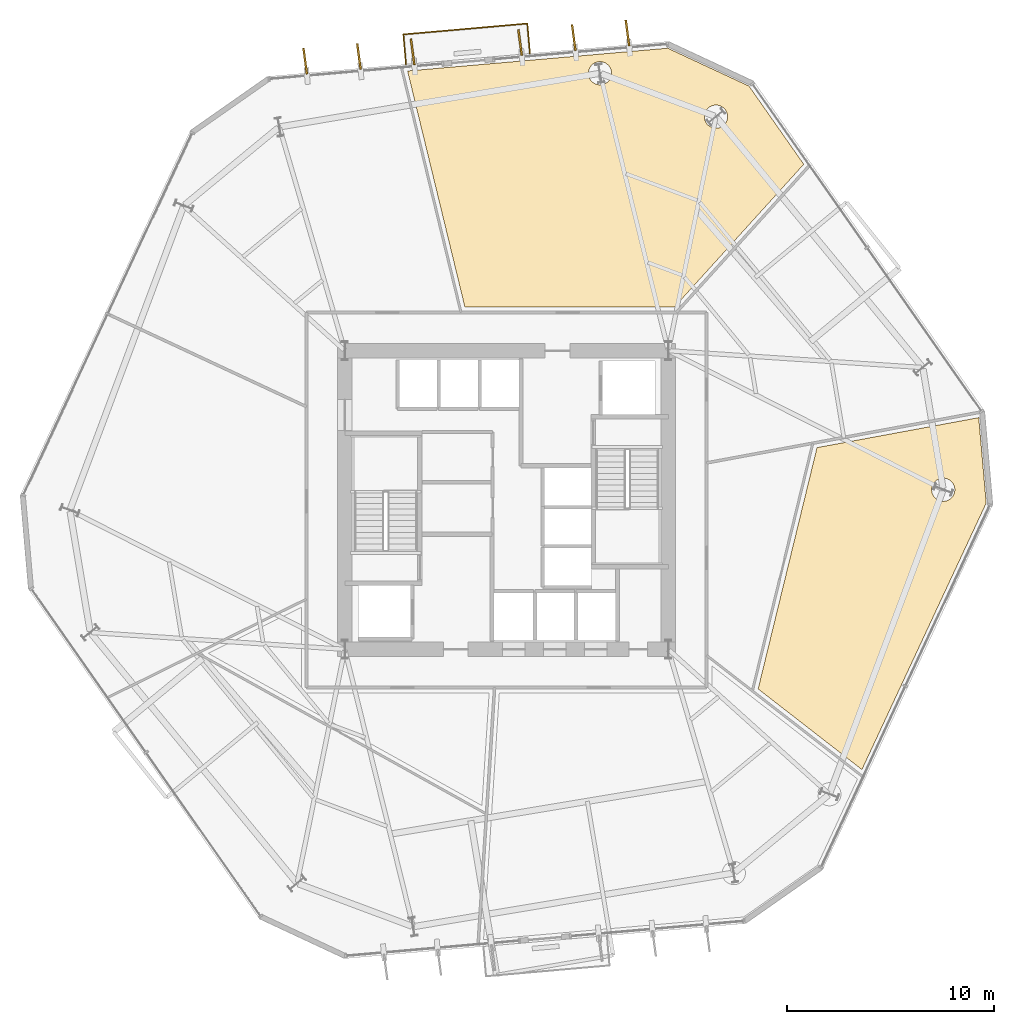
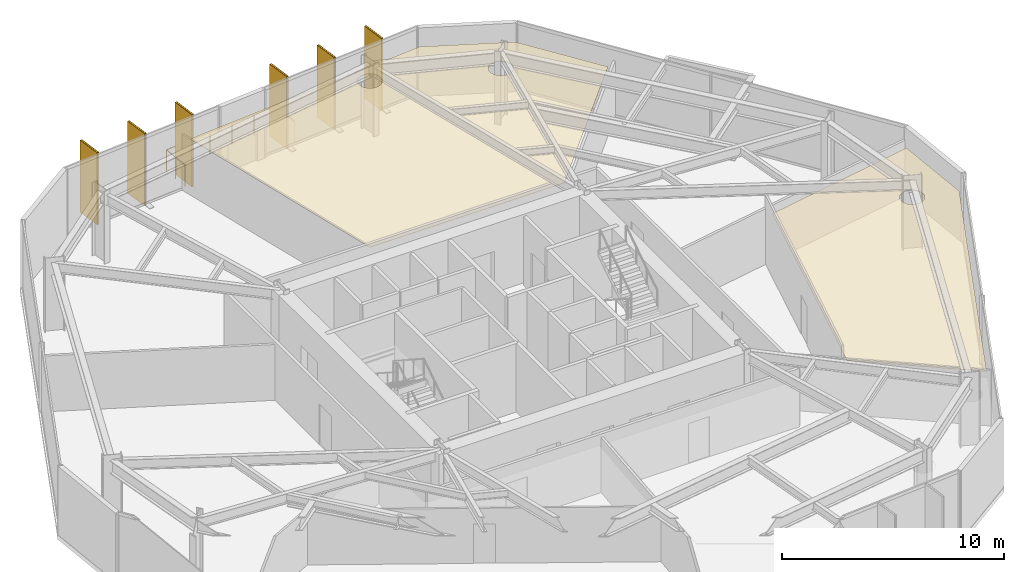
# One storey, part 11 of 11: 8 coverings, 6 shading devices, 1 railing.
"""IFC4 building model written with IfcOpenShell, lengths in metres."""

from ifc_helpers import new_model, si_unit, direction, frame, origin, origin_2d, place, context, subcontext, project, spatial, polyline, rectangle, circle, outline, extrude, material, layer, layer_set, type_object, element, save


model = new_model("IFC4")

# Units and contexts
model_context = context("Model", 3, precision=1e-05, world=origin(), true_north=direction((0.0, 1.0)))
body_context = subcontext(model_context, "Body", "Model", "MODEL_VIEW")
ifc_project = project(units=[si_unit("LENGTHUNIT", "METRE"), si_unit("AREAUNIT", "SQUARE_METRE"), si_unit("VOLUMEUNIT", "CUBIC_METRE"), si_unit("PLANEANGLEUNIT", "RADIAN"), si_unit("MASSUNIT", "GRAM", prefix="KILO")], contexts=[model_context])

# Site, building, storey
site_placement = place(None, origin())
site = spatial("IfcSite", under=ifc_project, at=site_placement, CompositionType="ELEMENT")
building_placement = place(site_placement, origin())
building = spatial("IfcBuilding", under=site, at=building_placement, Name="Kranzbogen Civic Tower", CompositionType="ELEMENT")
storey_placement = place(building_placement, frame((0.0, 0.0, 40.0)))
storey = spatial("IfcBuildingStorey", under=building, at=storey_placement, Name="L09", CompositionType="ELEMENT", Elevation=40.0)

# Coverings
ifc_material_1 = material(Name="Pale Anodised Aluminium", Category="aluminium")
ifc_layer_1 = layer(ifc_material_1, 0.02490234375, Name="Pale Anodised Aluminium")
ifc_layer_set_1 = layer_set([ifc_layer_1], Name="Pale Anodised Aluminium")
covering_type_1 = type_object("IfcCoveringType", Name="Anodised Aluminium Vertical Fin Cladding 25 mm", PredefinedType="CLADDING", material=ifc_layer_set_1)
for number, where, z_axis, x_axis, name in (
    (1, (30.8310546875, 47.51904296875, -0.139892578125), (0.0, 0.0, 1.0), (-0.132775371347, 0.991146155097, 0.0), "L09 vertical fin pale-metal cladding F2-1"),
    (2, (28.240966796875, 47.2919921875, -0.139892578125), (0.0, 0.0, 1.0), (-0.132775371347, 0.991146155097, 0.0), "L09 vertical fin pale-metal cladding F2-2"),
    (3, (25.65087890625, 47.06494140625, -0.139892578125), (0.0, 0.0, 1.0), (-0.132775371347, 0.991146155097, 0.0), "L09 vertical fin pale-metal cladding F2-3"),
    (4, (20.470947265625, 46.612060546875, -0.139892578125), (0.0, 0.0, 1.0), (-0.132775371347, 0.991146155097, 0.0), "L09 vertical fin pale-metal cladding F2-5"),
    (5, (17.881103515625, 46.385009765625, -0.139892578125), (0.0, 0.0, 1.0), (-0.132775371347, 0.991146155097, 0.0), "L09 vertical fin pale-metal cladding F2-6"),
    (6, (15.291015625, 46.158935546875, -0.139892578125), (0.0, 0.0, 1.0), (-0.132775371347, 0.991146155097, 0.0), "L09 vertical fin pale-metal cladding F2-7"),
):
    element("IfcCovering", number, at=place(storey_placement, frame(where, z_axis=z_axis, x_axis=x_axis)), inside=storey, type_object=covering_type_1, Name=name, PredefinedType="CLADDING", context=body_context, shape_type="SweptSolid", body=[
        extrude(rectangle(XDim=1.25, YDim=0.10009765625, at=origin_2d()), origin(), (0.0, 0.0, 1.0), 3.9599609375),
    ])

# Shading devices
ifc_material_2 = material(Name="Anodised Bronze Aluminium", Category="aluminium")
shading_device_type = type_object("IfcShadingDeviceType", Name="Anodised Bronze Vertical Facade Fin 1250x80", PredefinedType="USERDEFINED", material=ifc_material_2)
for number, where, z_axis, x_axis, name in (
    (7, (30.8310546875, 47.51904296875, -0.139892578125), (0.0, 0.0, 1.0), (-0.132775371347, 0.991146155097, 0.0), "L09 vertical exterior shading fin F2-1"),
    (8, (28.240966796875, 47.2919921875, -0.139892578125), (0.0, 0.0, 1.0), (-0.132775371347, 0.991146155097, 0.0), "L09 vertical exterior shading fin F2-2"),
    (9, (25.65087890625, 47.06494140625, -0.139892578125), (0.0, 0.0, 1.0), (-0.132775371347, 0.991146155097, 0.0), "L09 vertical exterior shading fin F2-3"),
    (10, (20.470947265625, 46.612060546875, -0.139892578125), (0.0, 0.0, 1.0), (-0.132775371347, 0.991146155097, 0.0), "L09 vertical exterior shading fin F2-5"),
    (11, (17.881103515625, 46.385009765625, -0.139892578125), (0.0, 0.0, 1.0), (-0.132775371347, 0.991146155097, 0.0), "L09 vertical exterior shading fin F2-6"),
    (12, (15.291015625, 46.158935546875, -0.139892578125), (0.0, 0.0, 1.0), (-0.132775371347, 0.991146155097, 0.0), "L09 vertical exterior shading fin F2-7"),
):
    element("IfcShadingDevice", number, at=place(storey_placement, frame(where, z_axis=z_axis, x_axis=x_axis)), inside=storey, type_object=shading_device_type, Name=name, ObjectType="FIN", PredefinedType="USERDEFINED", context=body_context, shape_type="SweptSolid", body=[
        extrude(rectangle(XDim=1.25, YDim=0.080078125, at=origin_2d()), origin(), (0.0, 0.0, 1.0), 3.9599609375),
    ])

# Railing
railing_type = type_object("IfcRailingType", Name="Cantilevered Balcony Glass and Bronze Balustrade 1200", PredefinedType="BALUSTRADE", material=ifc_material_2)
railing_placement = place(storey_placement, frame((26.1279296875, 46.530029296875, 0.0)))
element("IfcRailing", 13, at=railing_placement, inside=storey, type_object=railing_type, Name="L09 exterior terrace balustrade L09-TB1", PredefinedType="BALUSTRADE", context=body_context, shape_type="SweptSolid", body=[
    extrude(circle(Radius=0.02392578125, at=origin_2d()), frame((0.0, 0.0, 1.17578125), z_axis=(-0.08690578731, 0.996216534761, 0.0), x_axis=(-0.996216534761, -0.08690578731, 0.0)), (0.0, 0.0, 1.0), 1.449462890625),
    extrude(circle(Radius=0.02392578125, at=origin_2d()), frame((-0.1259765625, 1.444091796875, 1.17578125), z_axis=(-0.996190801894, -0.08720026503, 0.0), x_axis=(0.08720026503, -0.996190801894, 0.0)), (0.0, 0.0, 1.0), 6.0),
    extrude(circle(Radius=0.02392578125, at=origin_2d()), frame((-6.10302734375, 0.9208984375, 1.17578125), z_axis=(0.086920371222, -0.996215262414, 0.0), x_axis=(0.996215262414, 0.086920371222, 0.0)), (0.0, 0.0, 1.0), 1.44921875),
    extrude(circle(Radius=0.02099609375, at=origin_2d()), origin(), (0.0, 0.0, 1.0), 1.15185546875),
    extrude(circle(Radius=0.02099609375, at=origin_2d()), frame((-0.06298828125, 0.72216796875, 0.0)), (0.0, 0.0, 1.0), 1.15185546875),
    extrude(circle(Radius=0.02099609375, at=origin_2d()), frame((-0.1259765625, 1.444091796875, 0.0)), (0.0, 0.0, 1.0), 1.15185546875),
    extrude(circle(Radius=0.02099609375, at=origin_2d()), frame((-1.3212890625, 1.33935546875, 0.0)), (0.0, 0.0, 1.0), 1.15185546875),
    extrude(circle(Radius=0.02099609375, at=origin_2d()), frame((-2.516845703125, 1.23486328125, 0.0)), (0.0, 0.0, 1.0), 1.15185546875),
    extrude(circle(Radius=0.02099609375, at=origin_2d()), frame((-3.712158203125, 1.130126953125, 0.0)), (0.0, 0.0, 1.0), 1.15185546875),
    extrude(circle(Radius=0.02099609375, at=origin_2d()), frame((-4.90771484375, 1.025634765625, 0.0)), (0.0, 0.0, 1.0), 1.15185546875),
    extrude(circle(Radius=0.02099609375, at=origin_2d()), frame((-6.10302734375, 0.9208984375, 0.0)), (0.0, 0.0, 1.0), 1.15185546875),
    extrude(circle(Radius=0.02099609375, at=origin_2d()), frame((-6.0400390625, 0.198974609375, 0.0)), (0.0, 0.0, 1.0), 1.15185546875),
    extrude(circle(Radius=0.02099609375, at=origin_2d()), frame((-5.97705078125, -0.52294921875, 0.0)), (0.0, 0.0, 1.0), 1.15185546875),
])

# Coverings
ifc_material_3 = material(Name="Perforated Acoustic Gypsum Ceiling")
ifc_layer_2 = layer(ifc_material_3, 0.02490234375, Name="Perforated Acoustic Gypsum Ceiling")
ifc_layer_set_2 = layer_set([ifc_layer_2], Name="Perforated Acoustic Gypsum Ceiling")
covering_type_2 = type_object("IfcCoveringType", Name="Perforated Acoustic Mineral Ceiling Tile 25 mm", PredefinedType="CEILING", material=ifc_layer_set_2)
covering_1_placement = place(storey_placement, frame((0.0, 0.0, 2.75)))
element("IfcCovering", 14, at=covering_1_placement, inside=storey, type_object=covering_type_2, Name="L09 Cultural Screening Clubroom acoustic ceiling", PredefinedType="CEILING", context=body_context, shape_type="SweptSolid", body=[
    extrude(outline(polyline([(39.969970703125, 27.52587890625), (47.76904296875, 28.971923828125), (48.1298828125, 24.85205078125), (42.136962890625, 12.0009765625), (37.131103515625, 15.887939453125), (39.969970703125, 27.52587890625)]), holes=[polyline([(46.573974609375, 25.281982421875), (46.550048828125, 25.23193359375), (46.52197265625, 25.18505859375), (46.489013671875, 25.14111328125), (46.452880859375, 25.10009765625), (46.412109375, 25.06396484375), (46.367919921875, 25.031005859375), (46.321044921875, 25.0029296875), (46.27099609375, 24.97900390625), (46.218994140625, 24.9609375), (46.166015625, 24.947021484375), (46.112060546875, 24.93896484375), (46.056884765625, 24.93701171875), (46.001953125, 24.93896484375), (45.947998046875, 24.947021484375), (45.89501953125, 24.9609375), (45.843017578125, 24.97900390625), (45.79296875, 25.0029296875), (45.74609375, 25.031005859375), (45.701904296875, 25.06396484375), (45.660888671875, 25.10009765625), (45.625, 25.14111328125), (45.592041015625, 25.18505859375), (45.56396484375, 25.23193359375), (45.5400390625, 25.281982421875), (45.52197265625, 25.333984375), (45.508056640625, 25.386962890625), (45.5, 25.44091796875), (45.498046875, 25.49609375), (45.5, 25.551025390625), (45.508056640625, 25.60498046875), (45.52197265625, 25.657958984375), (45.5400390625, 25.7099609375), (45.56396484375, 25.760009765625), (45.592041015625, 25.806884765625), (45.625, 25.85107421875), (45.660888671875, 25.89208984375), (45.701904296875, 25.927978515625), (45.74609375, 25.9609375), (45.79296875, 25.989013671875), (45.843017578125, 26.012939453125), (45.89501953125, 26.031005859375), (45.947998046875, 26.044921875), (46.001953125, 26.052978515625), (46.056884765625, 26.054931640625), (46.112060546875, 26.052978515625), (46.166015625, 26.044921875), (46.218994140625, 26.031005859375), (46.27099609375, 26.012939453125), (46.321044921875, 25.989013671875), (46.367919921875, 25.9609375), (46.412109375, 25.927978515625), (46.452880859375, 25.89208984375), (46.489013671875, 25.85107421875), (46.52197265625, 25.806884765625), (46.550048828125, 25.760009765625), (46.573974609375, 25.7099609375), (46.592041015625, 25.657958984375), (46.60595703125, 25.60498046875), (46.614013671875, 25.551025390625), (46.615966796875, 25.49609375), (46.614013671875, 25.44091796875), (46.60595703125, 25.386962890625), (46.592041015625, 25.333984375), (46.573974609375, 25.281982421875)])]), origin(), (0.0, 0.0, 1.0), 0.02490234375),
])
covering_2_placement = place(storey_placement, frame((0.0, 0.0, 2.75)))
element("IfcCovering", 15, at=covering_2_placement, inside=storey, type_object=covering_type_2, Name="L09 Public Delegation Reception acoustic ceiling", PredefinedType="CEILING", context=body_context, shape_type="SweptSolid", body=[
    extrude(outline(polyline([(36.693115234375, 44.95703125), (39.3310546875, 41.18896484375), (33.0869140625, 34.294921875), (22.993896484375, 34.294921875), (20.22705078125, 45.68798828125), (32.77294921875, 46.785888671875), (36.693115234375, 44.95703125)]), holes=[polyline([(35.615966796875, 43.27001953125), (35.592041015625, 43.219970703125), (35.56396484375, 43.173095703125), (35.531005859375, 43.12890625), (35.4951171875, 43.087890625), (35.4541015625, 43.052001953125), (35.409912109375, 43.01904296875), (35.363037109375, 42.990966796875), (35.31298828125, 42.967041015625), (35.260986328125, 42.948974609375), (35.2080078125, 42.93505859375), (35.154052734375, 42.927001953125), (35.09912109375, 42.925048828125), (35.0439453125, 42.927001953125), (34.989990234375, 42.93505859375), (34.93701171875, 42.948974609375), (34.885009765625, 42.967041015625), (34.8349609375, 42.990966796875), (34.7880859375, 43.01904296875), (34.743896484375, 43.052001953125), (34.702880859375, 43.087890625), (34.6669921875, 43.12890625), (34.634033203125, 43.173095703125), (34.60595703125, 43.219970703125), (34.58203125, 43.27001953125), (34.56396484375, 43.322021484375), (34.550048828125, 43.375), (34.5419921875, 43.428955078125), (34.5400390625, 43.48388671875), (34.5419921875, 43.5390625), (34.550048828125, 43.593017578125), (34.56396484375, 43.64599609375), (34.58203125, 43.697998046875), (34.60595703125, 43.748046875), (34.634033203125, 43.794921875), (34.6669921875, 43.839111328125), (34.702880859375, 43.8798828125), (34.743896484375, 43.916015625), (34.7880859375, 43.948974609375), (34.8349609375, 43.97705078125), (34.885009765625, 44.0009765625), (34.93701171875, 44.01904296875), (34.989990234375, 44.032958984375), (35.0439453125, 44.041015625), (35.09912109375, 44.04296875), (35.154052734375, 44.041015625), (35.2080078125, 44.032958984375), (35.260986328125, 44.01904296875), (35.31298828125, 44.0009765625), (35.363037109375, 43.97705078125), (35.409912109375, 43.948974609375), (35.4541015625, 43.916015625), (35.4951171875, 43.8798828125), (35.531005859375, 43.839111328125), (35.56396484375, 43.794921875), (35.592041015625, 43.748046875), (35.615966796875, 43.697998046875), (35.634033203125, 43.64599609375), (35.64794921875, 43.593017578125), (35.656005859375, 43.5390625), (35.657958984375, 43.48388671875), (35.656005859375, 43.428955078125), (35.64794921875, 43.375), (35.634033203125, 43.322021484375), (35.615966796875, 43.27001953125)]), polyline([(30.02197265625, 45.362060546875), (29.998046875, 45.31201171875), (29.969970703125, 45.264892578125), (29.93701171875, 45.220947265625), (29.90087890625, 45.179931640625), (29.860107421875, 45.14404296875), (29.81591796875, 45.111083984375), (29.76904296875, 45.0830078125), (29.718994140625, 45.05908203125), (29.6669921875, 45.041015625), (29.614013671875, 45.027099609375), (29.56005859375, 45.01904296875), (29.5048828125, 45.01708984375), (29.449951171875, 45.01904296875), (29.39599609375, 45.027099609375), (29.343017578125, 45.041015625), (29.291015625, 45.05908203125), (29.240966796875, 45.0830078125), (29.194091796875, 45.111083984375), (29.14990234375, 45.14404296875), (29.10888671875, 45.179931640625), (29.072998046875, 45.220947265625), (29.0400390625, 45.264892578125), (29.011962890625, 45.31201171875), (28.988037109375, 45.362060546875), (28.969970703125, 45.4140625), (28.9560546875, 45.467041015625), (28.947998046875, 45.52099609375), (28.946044921875, 45.575927734375), (28.947998046875, 45.631103515625), (28.9560546875, 45.68505859375), (28.969970703125, 45.738037109375), (28.988037109375, 45.7900390625), (29.011962890625, 45.840087890625), (29.0400390625, 45.886962890625), (29.072998046875, 45.930908203125), (29.10888671875, 45.971923828125), (29.14990234375, 46.008056640625), (29.194091796875, 46.041015625), (29.240966796875, 46.069091796875), (29.291015625, 46.093017578125), (29.343017578125, 46.111083984375), (29.39599609375, 46.125), (29.449951171875, 46.133056640625), (29.5048828125, 46.135009765625), (29.56005859375, 46.133056640625), (29.614013671875, 46.125), (29.6669921875, 46.111083984375), (29.718994140625, 46.093017578125), (29.76904296875, 46.069091796875), (29.81591796875, 46.041015625), (29.860107421875, 46.008056640625), (29.90087890625, 45.971923828125), (29.93701171875, 45.930908203125), (29.969970703125, 45.886962890625), (29.998046875, 45.840087890625), (30.02197265625, 45.7900390625), (30.0400390625, 45.738037109375), (30.053955078125, 45.68505859375), (30.06201171875, 45.631103515625), (30.06396484375, 45.575927734375), (30.06201171875, 45.52099609375), (30.053955078125, 45.467041015625), (30.0400390625, 45.4140625), (30.02197265625, 45.362060546875)])]), origin(), (0.0, 0.0, 1.0), 0.02490234375),
])

save(model, "model.ifc")
